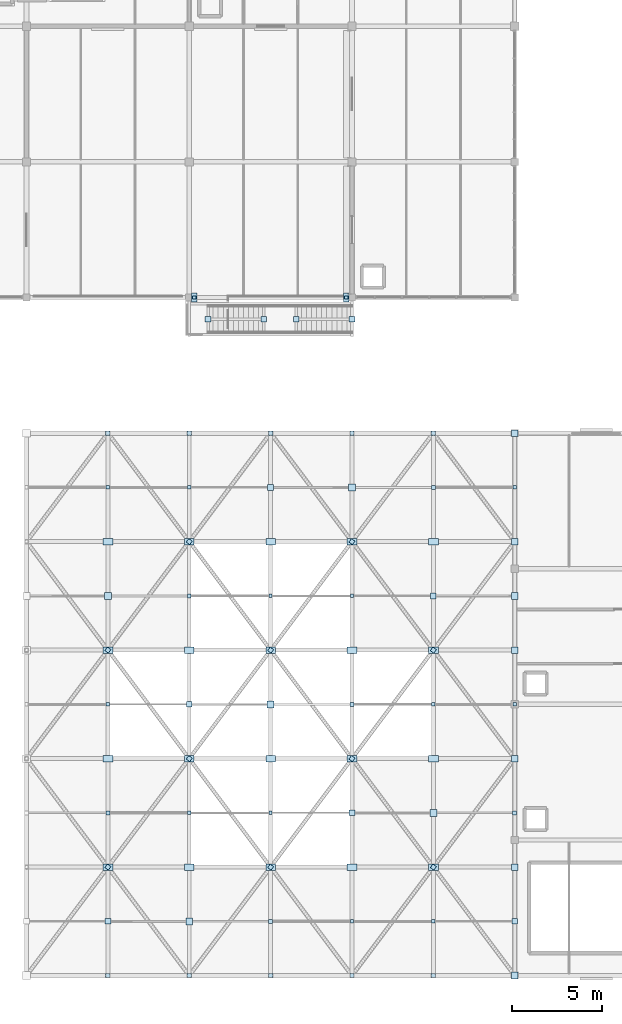
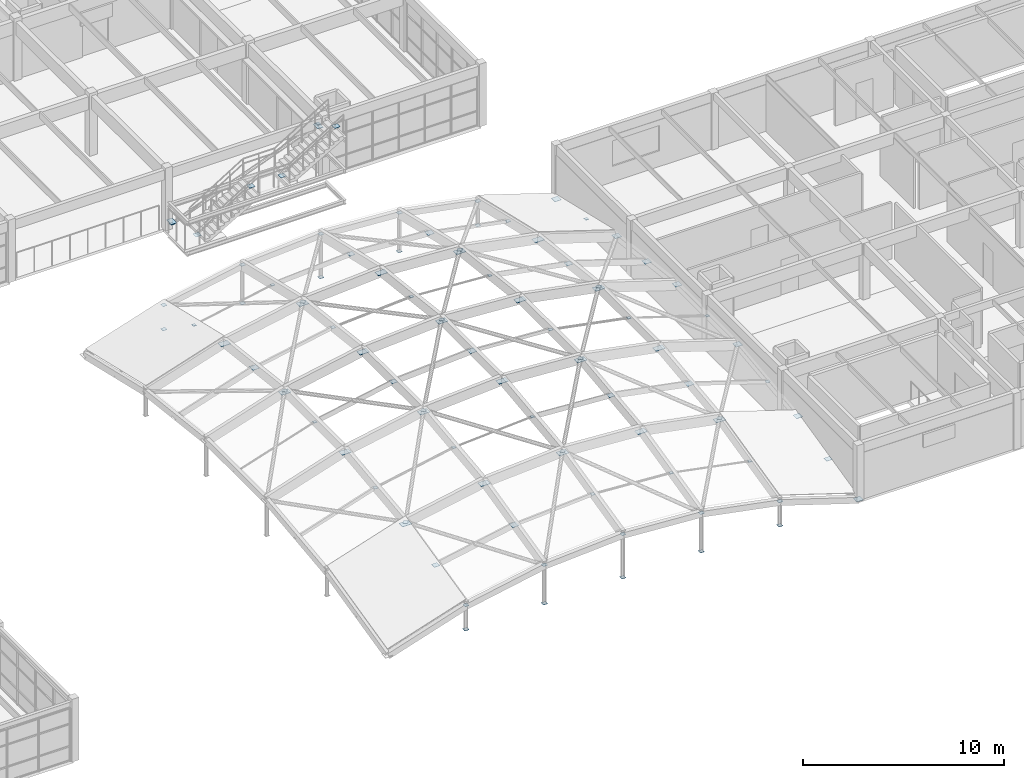
# One storey, part 64 of 81: 94 plates.
"""IFC4 building model written with IfcOpenShell, lengths in metres."""

from ifc_helpers import new_model, si_unit, direction, frame, origin, origin_2d, place, context, subcontext, project, spatial, rectangle, extrude, material, layer, layer_set, type_object, element, save


model = new_model("IFC4")

# Units and contexts
model_context = context("Model", 3, precision=1e-05, world=origin(), true_north=direction((0.0, 1.0)))
body_context = subcontext(model_context, "Body", "Model", "MODEL_VIEW")
ifc_project = project(units=[si_unit("LENGTHUNIT", "METRE"), si_unit("AREAUNIT", "SQUARE_METRE"), si_unit("VOLUMEUNIT", "CUBIC_METRE"), si_unit("PLANEANGLEUNIT", "RADIAN"), si_unit("MASSUNIT", "GRAM", prefix="KILO")], contexts=[model_context])

# Site, building, storey
site_placement = place(None, origin())
site = spatial("IfcSite", under=ifc_project, at=site_placement, CompositionType="ELEMENT")
building_placement = place(site_placement, origin())
building = spatial("IfcBuilding", under=site, at=building_placement, Name="Marnridge Secondary College", CompositionType="ELEMENT")
storey_placement = place(building_placement, frame((0.0, 0.0, 8.5)))
storey = spatial("IfcBuildingStorey", under=building, at=storey_placement, Name="L02", CompositionType="ELEMENT", Elevation=8.5)

# Plates
ifc_material_1 = material(Name="Structural steel plate Grade 350 (AS/NZS 3678, fy = 350 MPa <=12mm, 340 MPa 12-20mm, 330 MPa 20-50mm)", Category="steel")
ifc_layer_1 = layer(ifc_material_1, 0.011962890625)
ifc_layer_set_1 = layer_set([ifc_layer_1], Name="PT-CAP-EXT")
plate_type_1 = type_object("IfcPlateType", Name="PT-CAP-EXT", PredefinedType="SHEET", material=ifc_layer_set_1)
for number, where, z_axis, x_axis, name in (
    (1, (67.5, 0.0, -0.01416015625), (0.0, 0.0, 1.0), (1.0, 0.0, 0.0), "Tube end cap GSP-0069-EC1"),
    (2, (67.5, 0.0, 1.45654296875), (0.0, 0.0, 1.0), (1.0, 0.0, 0.0), "Tube end cap GSP-0069-EC2"),
    (3, (67.5, 30.0, -0.01416015625), (0.0, 0.0, 1.0), (1.0, 0.0, 0.0), "Tube end cap GSP-0070-EC1"),
    (4, (67.5, 30.0, 1.45654296875), (0.0, 0.0, 1.0), (1.0, 0.0, 0.0), "Tube end cap GSP-0070-EC2"),
    (5, (72.0, 0.0, -0.01416015625), (0.0, 0.0, 1.0), (1.0, 0.0, 0.0), "Tube end cap GSP-0071-EC1"),
    (6, (72.0, 0.0, 2.3232421875), (0.0, 0.0, 1.0), (1.0, 0.0, 0.0), "Tube end cap GSP-0071-EC2"),
    (7, (72.0, 30.0, -0.01416015625), (0.0, 0.0, 1.0), (1.0, 0.0, 0.0), "Tube end cap GSP-0072-EC1"),
    (8, (72.0, 30.0, 2.3232421875), (0.0, 0.0, 1.0), (1.0, 0.0, 0.0), "Tube end cap GSP-0072-EC2"),
    (9, (76.5, 0.0, -0.01416015625), (0.0, 0.0, 1.0), (1.0, 0.0, 0.0), "Tube end cap GSP-0073-EC1"),
    (10, (76.5, 0.0, 2.61181640625), (0.0, 0.0, 1.0), (1.0, 0.0, 0.0), "Tube end cap GSP-0073-EC2"),
    (11, (76.5, 30.0, -0.01416015625), (0.0, 0.0, 1.0), (1.0, 0.0, 0.0), "Tube end cap GSP-0074-EC1"),
    (12, (76.5, 30.0, 2.61181640625), (0.0, 0.0, 1.0), (1.0, 0.0, 0.0), "Tube end cap GSP-0074-EC2"),
    (13, (81.0, 0.0, -0.01416015625), (0.0, 0.0, 1.0), (1.0, 0.0, 0.0), "Tube end cap GSP-0075-EC1"),
    (14, (81.0, 0.0, 2.3232421875), (0.0, 0.0, 1.0), (1.0, 0.0, 0.0), "Tube end cap GSP-0075-EC2"),
    (15, (81.0, 30.0, -0.01416015625), (0.0, 0.0, 1.0), (1.0, 0.0, 0.0), "Tube end cap GSP-0076-EC1"),
    (16, (81.0, 30.0, 2.3232421875), (0.0, 0.0, 1.0), (1.0, 0.0, 0.0), "Tube end cap GSP-0076-EC2"),
    (17, (85.5, 0.0, -0.01416015625), (0.0, 0.0, 1.0), (1.0, 0.0, 0.0), "Tube end cap GSP-0077-EC1"),
    (18, (85.5, 0.0, 1.45654296875), (0.0, 0.0, 1.0), (1.0, 0.0, 0.0), "Tube end cap GSP-0077-EC2"),
    (19, (85.5, 30.0, -0.01416015625), (0.0, 0.0, 1.0), (1.0, 0.0, 0.0), "Tube end cap GSP-0078-EC1"),
    (20, (85.5, 30.0, 1.45654296875), (0.0, 0.0, 1.0), (1.0, 0.0, 0.0), "Tube end cap GSP-0078-EC2"),
):
    element("IfcPlate", number, at=place(storey_placement, frame(where, z_axis=z_axis, x_axis=x_axis)), inside=storey, type_object=plate_type_1, Name=name, PredefinedType="SHEET", context=body_context, shape_type="SweptSolid", body=[
        extrude(rectangle(XDim=0.239013671875, YDim=0.239013671875, at=origin_2d()), origin(), (0.0, 0.0, 1.0), 0.011962890625),
    ])
for number, where, z_axis, x_axis, name in (
    (21, (90.0, 0.001953125, -0.00537109375), (0.0, 0.0, 1.0), (0.0, 1.0, 0.0), "Tube end cap GR-0170-EC1"),
    (22, (90.0, 5.998046875, 1.4013671875), (0.0, 0.0, 1.0), (0.0, 1.0, 0.0), "Tube end cap GR-0170-EC2"),
    (23, (90.0, 11.998046875, 2.10595703125), (0.0, 0.0, 1.0), (0.0, 1.0, 0.0), "Tube end cap GR-0171-EC2"),
    (24, (90.0, 17.998046875, 2.10595703125), (0.0, 0.0, 1.0), (0.0, 1.0, 0.0), "Tube end cap GR-0172-EC2"),
    (25, (90.0, 23.998046875, 1.40234375), (0.0, 0.0, 1.0), (0.0, 1.0, 0.0), "Tube end cap GR-0173-EC2"),
    (26, (90.0, 29.998046875, -0.00537109375), (0.0, 0.0, 1.0), (0.0, 1.0, 0.0), "Tube end cap GR-0174-EC2"),
):
    element("IfcPlate", number, at=place(storey_placement, frame(where, z_axis=z_axis, x_axis=x_axis)), inside=storey, type_object=plate_type_1, Name=name, PredefinedType="SHEET", context=body_context, shape_type="SweptSolid", body=[
        extrude(rectangle(XDim=0.3701171875, YDim=0.3701171875, at=origin_2d()), origin(), (0.0, 0.0, 1.0), 0.011962890625),
    ])
plate_1_placement = place(storey_placement, frame((67.498779296875, 5.99853515625, 2.845703125), z_axis=(0.0, 0.0, 1.0), x_axis=(0.600001429133, 0.799998928149, 0.0)))
element("IfcPlate", 27, at=plate_1_placement, inside=storey, type_object=plate_type_1, Name="Tube end cap GR-0211-EC2", PredefinedType="SHEET", context=body_context, shape_type="SweptSolid", body=[
    extrude(rectangle(XDim=0.239013671875, YDim=0.239013671875, at=origin_2d()), origin(), (0.0, 0.0, 1.0), 0.011962890625),
])
plate_2_placement = place(storey_placement, frame((67.498046875, 3.0, 2.06201171875), z_axis=(0.0, 0.0, 1.0), x_axis=(1.0, 0.0, 0.0)))
element("IfcPlate", 28, at=plate_2_placement, inside=storey, type_object=plate_type_1, Name="Tube end cap PR-0079-EC2", PredefinedType="SHEET", context=body_context, shape_type="SweptSolid", body=[
    extrude(rectangle(XDim=0.320068359375, YDim=0.320068359375, at=origin_2d()), origin(), (0.0, 0.0, 1.0), 0.011962890625),
])
plate_3_placement = place(storey_placement, frame((67.498046875, 9.0, 3.11767578125), z_axis=(0.0, 0.0, 1.0), x_axis=(1.0, 0.0, 0.0)))
element("IfcPlate", 29, at=plate_3_placement, inside=storey, type_object=plate_type_1, Name="Tube end cap PR-0080-EC2", PredefinedType="SHEET", context=body_context, shape_type="SweptSolid", body=[
    extrude(rectangle(XDim=0.219970703125, YDim=0.219970703125, at=origin_2d()), origin(), (0.0, 0.0, 1.0), 0.011962890625),
])
plate_4_placement = place(storey_placement, frame((67.498779296875, 17.998291015625, 3.5498046875), z_axis=(0.0, 0.0, 1.0), x_axis=(0.600001429133, 0.799998928149, 0.0)))
element("IfcPlate", 30, at=plate_4_placement, inside=storey, type_object=plate_type_1, Name="Tube end cap GR-0213-EC2", PredefinedType="SHEET", context=body_context, shape_type="SweptSolid", body=[
    extrude(rectangle(XDim=0.239013671875, YDim=0.239013671875, at=origin_2d()), origin(), (0.0, 0.0, 1.0), 0.011962890625),
])
plate_5_placement = place(storey_placement, frame((67.498046875, 15.0, 3.4697265625), z_axis=(0.0, 0.0, 1.0), x_axis=(1.0, 0.0, 0.0)))
element("IfcPlate", 31, at=plate_5_placement, inside=storey, type_object=plate_type_1, Name="Tube end cap PR-0081-EC2", PredefinedType="SHEET", context=body_context, shape_type="SweptSolid", body=[
    extrude(rectangle(XDim=0.179931640625, YDim=0.179931640625, at=origin_2d()), origin(), (0.0, 0.0, 1.0), 0.011962890625),
])
plate_6_placement = place(storey_placement, frame((67.498046875, 21.0, 3.11767578125), z_axis=(0.0, 0.0, 1.0), x_axis=(1.0, 0.0, 0.0)))
element("IfcPlate", 32, at=plate_6_placement, inside=storey, type_object=plate_type_1, Name="Tube end cap PR-0082-EC2", PredefinedType="SHEET", context=body_context, shape_type="SweptSolid", body=[
    extrude(rectangle(XDim=0.3798828125, YDim=0.3798828125, at=origin_2d()), origin(), (0.0, 0.0, 1.0), 0.011962890625),
])
plate_7_placement = place(storey_placement, frame((67.498046875, 27.0, 2.06201171875), z_axis=(0.0, 0.0, 1.0), x_axis=(1.0, 0.0, 0.0)))
element("IfcPlate", 33, at=plate_7_placement, inside=storey, type_object=plate_type_1, Name="Tube end cap PR-0083-EC2", PredefinedType="SHEET", context=body_context, shape_type="SweptSolid", body=[
    extrude(rectangle(XDim=0.179931640625, YDim=0.179931640625, at=origin_2d()), origin(), (0.0, 0.0, 1.0), 0.011962890625),
])
plate_8_placement = place(storey_placement, frame((71.998046875, 3.0, 2.9287109375), z_axis=(0.0, 0.0, 1.0), x_axis=(1.0, 0.0, 0.0)))
element("IfcPlate", 34, at=plate_8_placement, inside=storey, type_object=plate_type_1, Name="Tube end cap PR-0084-EC2", PredefinedType="SHEET", context=body_context, shape_type="SweptSolid", body=[
    extrude(rectangle(XDim=0.3798828125, YDim=0.3798828125, at=origin_2d()), origin(), (0.0, 0.0, 1.0), 0.011962890625),
])
plate_9_placement = place(storey_placement, frame((71.998779296875, 11.998291015625, 4.41650390625), z_axis=(0.0, 0.0, 1.0), x_axis=(0.600001429133, 0.799998928149, 0.0)))
element("IfcPlate", 35, at=plate_9_placement, inside=storey, type_object=plate_type_1, Name="Tube end cap GR-0217-EC2", PredefinedType="SHEET", context=body_context, shape_type="SweptSolid", body=[
    extrude(rectangle(XDim=0.239013671875, YDim=0.239013671875, at=origin_2d()), origin(), (0.0, 0.0, 1.0), 0.011962890625),
])
plate_10_placement = place(storey_placement, frame((71.998046875, 9.0, 3.98486328125), z_axis=(0.0, 0.0, 1.0), x_axis=(1.0, 0.0, 0.0)))
element("IfcPlate", 36, at=plate_10_placement, inside=storey, type_object=plate_type_1, Name="Tube end cap PR-0085-EC2", PredefinedType="SHEET", context=body_context, shape_type="SweptSolid", body=[
    extrude(rectangle(XDim=0.179931640625, YDim=0.179931640625, at=origin_2d()), origin(), (0.0, 0.0, 1.0), 0.011962890625),
])
plate_11_placement = place(storey_placement, frame((71.998046875, 15.0, 4.3369140625), z_axis=(0.0, 0.0, 1.0), x_axis=(1.0, 0.0, 0.0)))
element("IfcPlate", 37, at=plate_11_placement, inside=storey, type_object=plate_type_1, Name="Tube end cap PR-0086-EC2", PredefinedType="SHEET", context=body_context, shape_type="SweptSolid", body=[
    extrude(rectangle(XDim=0.320068359375, YDim=0.320068359375, at=origin_2d()), origin(), (0.0, 0.0, 1.0), 0.011962890625),
])
plate_12_placement = place(storey_placement, frame((71.998779296875, 23.998291015625, 3.712890625), z_axis=(0.0, 0.0, 1.0), x_axis=(0.600001429133, 0.799998928149, 0.0)))
element("IfcPlate", 38, at=plate_12_placement, inside=storey, type_object=plate_type_1, Name="Tube end cap GR-0219-EC2", PredefinedType="SHEET", context=body_context, shape_type="SweptSolid", body=[
    extrude(rectangle(XDim=0.239013671875, YDim=0.239013671875, at=origin_2d()), origin(), (0.0, 0.0, 1.0), 0.011962890625),
])
plate_13_placement = place(storey_placement, frame((71.998046875, 21.0, 3.98486328125), z_axis=(0.0, 0.0, 1.0), x_axis=(1.0, 0.0, 0.0)))
element("IfcPlate", 39, at=plate_13_placement, inside=storey, type_object=plate_type_1, Name="Tube end cap PR-0087-EC2", PredefinedType="SHEET", context=body_context, shape_type="SweptSolid", body=[
    extrude(rectangle(XDim=0.219970703125, YDim=0.219970703125, at=origin_2d()), origin(), (0.0, 0.0, 1.0), 0.011962890625),
])
plate_14_placement = place(storey_placement, frame((71.998046875, 27.0, 2.9287109375), z_axis=(0.0, 0.0, 1.0), x_axis=(1.0, 0.0, 0.0)))
element("IfcPlate", 40, at=plate_14_placement, inside=storey, type_object=plate_type_1, Name="Tube end cap PR-0088-EC2", PredefinedType="SHEET", context=body_context, shape_type="SweptSolid", body=[
    extrude(rectangle(XDim=0.179931640625, YDim=0.179931640625, at=origin_2d()), origin(), (0.0, 0.0, 1.0), 0.011962890625),
])
plate_15_placement = place(storey_placement, frame((76.498779296875, 5.998291015625, 4.00146484375), z_axis=(0.0, 0.0, 1.0), x_axis=(0.600001429133, 0.799998928149, 0.0)))
element("IfcPlate", 41, at=plate_15_placement, inside=storey, type_object=plate_type_1, Name="Tube end cap GR-0221-EC2", PredefinedType="SHEET", context=body_context, shape_type="SweptSolid", body=[
    extrude(rectangle(XDim=0.239013671875, YDim=0.239013671875, at=origin_2d()), origin(), (0.0, 0.0, 1.0), 0.011962890625),
])
plate_16_placement = place(storey_placement, frame((76.498046875, 3.0, 3.2177734375), z_axis=(0.0, 0.0, 1.0), x_axis=(1.0, 0.0, 0.0)))
element("IfcPlate", 42, at=plate_16_placement, inside=storey, type_object=plate_type_1, Name="Tube end cap PR-0089-EC2", PredefinedType="SHEET", context=body_context, shape_type="SweptSolid", body=[
    extrude(rectangle(XDim=0.219970703125, YDim=0.219970703125, at=origin_2d()), origin(), (0.0, 0.0, 1.0), 0.011962890625),
])
plate_17_placement = place(storey_placement, frame((76.498046875, 9.0, 4.27392578125), z_axis=(0.0, 0.0, 1.0), x_axis=(1.0, 0.0, 0.0)))
element("IfcPlate", 43, at=plate_17_placement, inside=storey, type_object=plate_type_1, Name="Tube end cap PR-0090-EC2", PredefinedType="SHEET", context=body_context, shape_type="SweptSolid", body=[
    extrude(rectangle(XDim=0.179931640625, YDim=0.179931640625, at=origin_2d()), origin(), (0.0, 0.0, 1.0), 0.011962890625),
])
plate_18_placement = place(storey_placement, frame((76.498779296875, 17.998291015625, 4.7060546875), z_axis=(0.0, 0.0, 1.0), x_axis=(0.600001429133, 0.799998928149, 0.0)))
element("IfcPlate", 44, at=plate_18_placement, inside=storey, type_object=plate_type_1, Name="Tube end cap GR-0223-EC2", PredefinedType="SHEET", context=body_context, shape_type="SweptSolid", body=[
    extrude(rectangle(XDim=0.239013671875, YDim=0.239013671875, at=origin_2d()), origin(), (0.0, 0.0, 1.0), 0.011962890625),
])
plate_19_placement = place(storey_placement, frame((76.498046875, 15.0, 4.6259765625), z_axis=(0.0, 0.0, 1.0), x_axis=(1.0, 0.0, 0.0)))
element("IfcPlate", 45, at=plate_19_placement, inside=storey, type_object=plate_type_1, Name="Tube end cap PR-0091-EC2", PredefinedType="SHEET", context=body_context, shape_type="SweptSolid", body=[
    extrude(rectangle(XDim=0.3798828125, YDim=0.3798828125, at=origin_2d()), origin(), (0.0, 0.0, 1.0), 0.011962890625),
])
plate_20_placement = place(storey_placement, frame((76.498046875, 21.0, 4.27392578125), z_axis=(0.0, 0.0, 1.0), x_axis=(1.0, 0.0, 0.0)))
element("IfcPlate", 46, at=plate_20_placement, inside=storey, type_object=plate_type_1, Name="Tube end cap PR-0092-EC2", PredefinedType="SHEET", context=body_context, shape_type="SweptSolid", body=[
    extrude(rectangle(XDim=0.179931640625, YDim=0.179931640625, at=origin_2d()), origin(), (0.0, 0.0, 1.0), 0.011962890625),
])
plate_21_placement = place(storey_placement, frame((76.498046875, 27.0, 3.2177734375), z_axis=(0.0, 0.0, 1.0), x_axis=(1.0, 0.0, 0.0)))
element("IfcPlate", 47, at=plate_21_placement, inside=storey, type_object=plate_type_1, Name="Tube end cap PR-0093-EC2", PredefinedType="SHEET", context=body_context, shape_type="SweptSolid", body=[
    extrude(rectangle(XDim=0.320068359375, YDim=0.320068359375, at=origin_2d()), origin(), (0.0, 0.0, 1.0), 0.011962890625),
])
plate_22_placement = place(storey_placement, frame((80.998046875, 3.0, 2.92919921875), z_axis=(0.0, 0.0, 1.0), x_axis=(1.0, 0.0, 0.0)))
element("IfcPlate", 48, at=plate_22_placement, inside=storey, type_object=plate_type_1, Name="Tube end cap PR-0094-EC2", PredefinedType="SHEET", context=body_context, shape_type="SweptSolid", body=[
    extrude(rectangle(XDim=0.179931640625, YDim=0.179931640625, at=origin_2d()), origin(), (0.0, 0.0, 1.0), 0.011962890625),
])
plate_23_placement = place(storey_placement, frame((80.998779296875, 11.998291015625, 4.4169921875), z_axis=(0.0, 0.0, 1.0), x_axis=(0.600001429133, 0.799998928149, 0.0)))
element("IfcPlate", 49, at=plate_23_placement, inside=storey, type_object=plate_type_1, Name="Tube end cap GR-0227-EC2", PredefinedType="SHEET", context=body_context, shape_type="SweptSolid", body=[
    extrude(rectangle(XDim=0.239013671875, YDim=0.239013671875, at=origin_2d()), origin(), (0.0, 0.0, 1.0), 0.011962890625),
])
plate_24_placement = place(storey_placement, frame((80.998046875, 9.0, 3.9853515625), z_axis=(0.0, 0.0, 1.0), x_axis=(1.0, 0.0, 0.0)))
element("IfcPlate", 50, at=plate_24_placement, inside=storey, type_object=plate_type_1, Name="Tube end cap PR-0095-EC2", PredefinedType="SHEET", context=body_context, shape_type="SweptSolid", body=[
    extrude(rectangle(XDim=0.320068359375, YDim=0.320068359375, at=origin_2d()), origin(), (0.0, 0.0, 1.0), 0.011962890625),
])
plate_25_placement = place(storey_placement, frame((80.998046875, 15.0, 4.33740234375), z_axis=(0.0, 0.0, 1.0), x_axis=(1.0, 0.0, 0.0)))
element("IfcPlate", 51, at=plate_25_placement, inside=storey, type_object=plate_type_1, Name="Tube end cap PR-0096-EC2", PredefinedType="SHEET", context=body_context, shape_type="SweptSolid", body=[
    extrude(rectangle(XDim=0.219970703125, YDim=0.219970703125, at=origin_2d()), origin(), (0.0, 0.0, 1.0), 0.011962890625),
])
plate_26_placement = place(storey_placement, frame((80.998779296875, 23.998291015625, 3.71337890625), z_axis=(0.0, 0.0, 1.0), x_axis=(0.600001429133, 0.799998928149, 0.0)))
element("IfcPlate", 52, at=plate_26_placement, inside=storey, type_object=plate_type_1, Name="Tube end cap GR-0229-EC2", PredefinedType="SHEET", context=body_context, shape_type="SweptSolid", body=[
    extrude(rectangle(XDim=0.239013671875, YDim=0.239013671875, at=origin_2d()), origin(), (0.0, 0.0, 1.0), 0.011962890625),
])
plate_27_placement = place(storey_placement, frame((80.998046875, 21.0, 3.9853515625), z_axis=(0.0, 0.0, 1.0), x_axis=(1.0, 0.0, 0.0)))
element("IfcPlate", 53, at=plate_27_placement, inside=storey, type_object=plate_type_1, Name="Tube end cap PR-0097-EC2", PredefinedType="SHEET", context=body_context, shape_type="SweptSolid", body=[
    extrude(rectangle(XDim=0.179931640625, YDim=0.179931640625, at=origin_2d()), origin(), (0.0, 0.0, 1.0), 0.011962890625),
])
plate_28_placement = place(storey_placement, frame((80.998046875, 27.0, 2.92919921875), z_axis=(0.0, 0.0, 1.0), x_axis=(1.0, 0.0, 0.0)))
element("IfcPlate", 54, at=plate_28_placement, inside=storey, type_object=plate_type_1, Name="Tube end cap PR-0098-EC2", PredefinedType="SHEET", context=body_context, shape_type="SweptSolid", body=[
    extrude(rectangle(XDim=0.3798828125, YDim=0.3798828125, at=origin_2d()), origin(), (0.0, 0.0, 1.0), 0.011962890625),
])
plate_29_placement = place(storey_placement, frame((85.498779296875, 5.998291015625, 2.84619140625), z_axis=(0.0, 0.0, 1.0), x_axis=(0.600001429133, 0.799998928149, 0.0)))
element("IfcPlate", 55, at=plate_29_placement, inside=storey, type_object=plate_type_1, Name="Tube end cap GR-0231-EC2", PredefinedType="SHEET", context=body_context, shape_type="SweptSolid", body=[
    extrude(rectangle(XDim=0.239013671875, YDim=0.239013671875, at=origin_2d()), origin(), (0.0, 0.0, 1.0), 0.011962890625),
])
plate_30_placement = place(storey_placement, frame((85.498046875, 3.0, 2.06298828125), z_axis=(0.0, 0.0, 1.0), x_axis=(1.0, 0.0, 0.0)))
element("IfcPlate", 56, at=plate_30_placement, inside=storey, type_object=plate_type_1, Name="Tube end cap PR-0099-EC2", PredefinedType="SHEET", context=body_context, shape_type="SweptSolid", body=[
    extrude(rectangle(XDim=0.179931640625, YDim=0.179931640625, at=origin_2d()), origin(), (0.0, 0.0, 1.0), 0.011962890625),
])
plate_31_placement = place(storey_placement, frame((85.498046875, 9.0, 3.11865234375), z_axis=(0.0, 0.0, 1.0), x_axis=(1.0, 0.0, 0.0)))
element("IfcPlate", 57, at=plate_31_placement, inside=storey, type_object=plate_type_1, Name="Tube end cap PR-0100-EC2", PredefinedType="SHEET", context=body_context, shape_type="SweptSolid", body=[
    extrude(rectangle(XDim=0.3798828125, YDim=0.3798828125, at=origin_2d()), origin(), (0.0, 0.0, 1.0), 0.011962890625),
])
plate_32_placement = place(storey_placement, frame((85.498779296875, 17.998291015625, 3.55078125), z_axis=(0.0, 0.0, 1.0), x_axis=(0.600001429133, 0.799998928149, 0.0)))
element("IfcPlate", 58, at=plate_32_placement, inside=storey, type_object=plate_type_1, Name="Tube end cap GR-0233-EC2", PredefinedType="SHEET", context=body_context, shape_type="SweptSolid", body=[
    extrude(rectangle(XDim=0.239013671875, YDim=0.239013671875, at=origin_2d()), origin(), (0.0, 0.0, 1.0), 0.011962890625),
])
plate_33_placement = place(storey_placement, frame((85.498046875, 15.0, 3.470703125), z_axis=(0.0, 0.0, 1.0), x_axis=(1.0, 0.0, 0.0)))
element("IfcPlate", 59, at=plate_33_placement, inside=storey, type_object=plate_type_1, Name="Tube end cap PR-0101-EC2", PredefinedType="SHEET", context=body_context, shape_type="SweptSolid", body=[
    extrude(rectangle(XDim=0.179931640625, YDim=0.179931640625, at=origin_2d()), origin(), (0.0, 0.0, 1.0), 0.011962890625),
])
plate_34_placement = place(storey_placement, frame((85.498046875, 21.0, 3.11865234375), z_axis=(0.0, 0.0, 1.0), x_axis=(1.0, 0.0, 0.0)))
element("IfcPlate", 60, at=plate_34_placement, inside=storey, type_object=plate_type_1, Name="Tube end cap PR-0102-EC2", PredefinedType="SHEET", context=body_context, shape_type="SweptSolid", body=[
    extrude(rectangle(XDim=0.320068359375, YDim=0.320068359375, at=origin_2d()), origin(), (0.0, 0.0, 1.0), 0.011962890625),
])
plate_35_placement = place(storey_placement, frame((85.498046875, 27.0, 2.06298828125), z_axis=(0.0, 0.0, 1.0), x_axis=(1.0, 0.0, 0.0)))
element("IfcPlate", 61, at=plate_35_placement, inside=storey, type_object=plate_type_1, Name="Tube end cap PR-0103-EC2", PredefinedType="SHEET", context=body_context, shape_type="SweptSolid", body=[
    extrude(rectangle(XDim=0.219970703125, YDim=0.219970703125, at=origin_2d()), origin(), (0.0, 0.0, 1.0), 0.011962890625),
])
plate_36_placement = place(storey_placement, frame((89.998046875, 3.0, 0.61865234375), z_axis=(0.0, 0.0, 1.0), x_axis=(1.0, 0.0, 0.0)))
element("IfcPlate", 62, at=plate_36_placement, inside=storey, type_object=plate_type_1, Name="Tube end cap PR-0104-EC2", PredefinedType="SHEET", context=body_context, shape_type="SweptSolid", body=[
    extrude(rectangle(XDim=0.320068359375, YDim=0.320068359375, at=origin_2d()), origin(), (0.0, 0.0, 1.0), 0.011962890625),
])
plate_37_placement = place(storey_placement, frame((89.998046875, 9.0, 1.6748046875), z_axis=(0.0, 0.0, 1.0), x_axis=(1.0, 0.0, 0.0)))
element("IfcPlate", 63, at=plate_37_placement, inside=storey, type_object=plate_type_1, Name="Tube end cap PR-0105-EC2", PredefinedType="SHEET", context=body_context, shape_type="SweptSolid", body=[
    extrude(rectangle(XDim=0.219970703125, YDim=0.219970703125, at=origin_2d()), origin(), (0.0, 0.0, 1.0), 0.011962890625),
])
plate_38_placement = place(storey_placement, frame((89.998046875, 15.0, 2.02685546875), z_axis=(0.0, 0.0, 1.0), x_axis=(1.0, 0.0, 0.0)))
element("IfcPlate", 64, at=plate_38_placement, inside=storey, type_object=plate_type_1, Name="Tube end cap PR-0106-EC2", PredefinedType="SHEET", context=body_context, shape_type="SweptSolid", body=[
    extrude(rectangle(XDim=0.179931640625, YDim=0.179931640625, at=origin_2d()), origin(), (0.0, 0.0, 1.0), 0.011962890625),
])
plate_39_placement = place(storey_placement, frame((89.998046875, 21.0, 1.6748046875), z_axis=(0.0, 0.0, 1.0), x_axis=(1.0, 0.0, 0.0)))
element("IfcPlate", 65, at=plate_39_placement, inside=storey, type_object=plate_type_1, Name="Tube end cap PR-0107-EC2", PredefinedType="SHEET", context=body_context, shape_type="SweptSolid", body=[
    extrude(rectangle(XDim=0.3798828125, YDim=0.3798828125, at=origin_2d()), origin(), (0.0, 0.0, 1.0), 0.011962890625),
])
plate_40_placement = place(storey_placement, frame((89.998046875, 27.0, 0.61865234375), z_axis=(0.0, 0.0, 1.0), x_axis=(1.0, 0.0, 0.0)))
element("IfcPlate", 66, at=plate_40_placement, inside=storey, type_object=plate_type_1, Name="Tube end cap PR-0108-EC2", PredefinedType="SHEET", context=body_context, shape_type="SweptSolid", body=[
    extrude(rectangle(XDim=0.179931640625, YDim=0.179931640625, at=origin_2d()), origin(), (0.0, 0.0, 1.0), 0.011962890625),
])
for number, where, z_axis, x_axis, name in (
    (67, (72.281982421875, 37.5, 0.15478515625), (0.0, 0.0, 1.0), (1.0, 0.0, 0.0), "Tube end cap BR-009-EC1"),
    (68, (80.677978515625, 37.5, 3.29345703125), (0.0, 0.0, 1.0), (1.0, 0.0, 0.0), "Tube end cap BR-009-EC2"),
):
    element("IfcPlate", number, at=place(storey_placement, frame(where, z_axis=z_axis, x_axis=x_axis)), inside=storey, type_object=plate_type_1, Name=name, PredefinedType="SHEET", context=body_context, shape_type="SweptSolid", body=[
        extrude(rectangle(XDim=0.18798828125, YDim=0.18798828125, at=origin_2d()), origin(), (0.0, 0.0, 1.0), 0.011962890625),
    ])
for number, where, z_axis, x_axis, name in (
    (69, (73.041748046875, 36.300048828125, -0.044921875), (0.0, 0.0, 1.0), (1.0, 0.0, 0.0), "Tube end cap STR-061-EC1"),
    (70, (76.118408203125, 36.300048828125, 1.8330078125), (0.0, 0.0, 1.0), (1.0, 0.0, 0.0), "Tube end cap STR-061-EC2"),
    (71, (77.921630859375, 36.300048828125, 1.8349609375), (0.0, 0.0, 1.0), (1.0, 0.0, 0.0), "Tube end cap STR-062-EC1"),
    (72, (80.998291015625, 36.300048828125, 3.7529296875), (0.0, 0.0, 1.0), (1.0, 0.0, 0.0), "Tube end cap STR-062-EC2"),
):
    element("IfcPlate", number, at=place(storey_placement, frame(where, z_axis=z_axis, x_axis=x_axis)), inside=storey, type_object=plate_type_1, Name=name, PredefinedType="SHEET", context=body_context, shape_type="SweptSolid", body=[
        extrude(rectangle(XDim=0.320068359375, YDim=0.320068359375, at=origin_2d()), origin(), (0.0, 0.0, 1.0), 0.011962890625),
    ])
ifc_material_2 = material(Name="Structural steel plate Grade 350 (AS/NZS 3678, fy = 350 MPa <=12mm, 340 MPa 12-20mm, 330 MPa 20-50mm)", Category="steel")
ifc_layer_2 = layer(ifc_material_2, 0.02392578125)
ifc_layer_set_2 = layer_set([ifc_layer_2], Name="PT-GUS-GSN2")
plate_type_2 = type_object("IfcPlateType", Name="PT-GUS-GSN2", PredefinedType="USERDEFINED", material=ifc_layer_set_2)
for number, where, z_axis, x_axis, name in (
    (73, (67.5, 6.0, 2.740478515625), (0.0, 0.0, 1.0), (1.0, 0.0, 0.0), "Gridshell node gusset plate GP-031"),
    (74, (67.5, 12.0, 3.4443359375), (0.0, 0.0, 1.0), (1.0, 0.0, 0.0), "Gridshell node gusset plate GP-032"),
    (75, (67.5, 18.0, 3.4443359375), (0.0, 0.0, 1.0), (1.0, 0.0, 0.0), "Gridshell node gusset plate GP-033"),
    (76, (67.5, 24.0, 2.740478515625), (0.0, 0.0, 1.0), (1.0, 0.0, 0.0), "Gridshell node gusset plate GP-034"),
    (77, (72.0, 6.0, 3.607177734375), (0.0, 0.0, 1.0), (1.0, 0.0, 0.0), "Gridshell node gusset plate GP-035"),
    (78, (72.0, 12.0, 4.31103515625), (0.0, 0.0, 1.0), (1.0, 0.0, 0.0), "Gridshell node gusset plate GP-036"),
    (79, (72.0, 18.0, 4.31103515625), (0.0, 0.0, 1.0), (1.0, 0.0, 0.0), "Gridshell node gusset plate GP-037"),
    (80, (72.0, 24.0, 3.607177734375), (0.0, 0.0, 1.0), (1.0, 0.0, 0.0), "Gridshell node gusset plate GP-038"),
    (81, (76.5, 6.0, 3.89599609375), (0.0, 0.0, 1.0), (1.0, 0.0, 0.0), "Gridshell node gusset plate GP-039"),
    (82, (76.5, 12.0, 4.60009765625), (0.0, 0.0, 1.0), (1.0, 0.0, 0.0), "Gridshell node gusset plate GP-040"),
    (83, (76.5, 18.0, 4.60009765625), (0.0, 0.0, 1.0), (1.0, 0.0, 0.0), "Gridshell node gusset plate GP-041"),
    (84, (76.5, 24.0, 3.89599609375), (0.0, 0.0, 1.0), (1.0, 0.0, 0.0), "Gridshell node gusset plate GP-042"),
    (85, (81.0, 6.0, 3.607177734375), (0.0, 0.0, 1.0), (1.0, 0.0, 0.0), "Gridshell node gusset plate GP-043"),
    (86, (81.0, 12.0, 4.31103515625), (0.0, 0.0, 1.0), (1.0, 0.0, 0.0), "Gridshell node gusset plate GP-044"),
    (87, (81.0, 18.0, 4.31103515625), (0.0, 0.0, 1.0), (1.0, 0.0, 0.0), "Gridshell node gusset plate GP-045"),
    (88, (81.0, 24.0, 3.607177734375), (0.0, 0.0, 1.0), (1.0, 0.0, 0.0), "Gridshell node gusset plate GP-046"),
    (89, (85.5, 6.0, 2.740478515625), (0.0, 0.0, 1.0), (1.0, 0.0, 0.0), "Gridshell node gusset plate GP-047"),
    (90, (85.5, 12.0, 3.4443359375), (0.0, 0.0, 1.0), (1.0, 0.0, 0.0), "Gridshell node gusset plate GP-048"),
    (91, (85.5, 18.0, 3.4443359375), (0.0, 0.0, 1.0), (1.0, 0.0, 0.0), "Gridshell node gusset plate GP-049"),
    (92, (85.5, 24.0, 2.740478515625), (0.0, 0.0, 1.0), (1.0, 0.0, 0.0), "Gridshell node gusset plate GP-050"),
):
    element("IfcPlate", number, at=place(storey_placement, frame(where, z_axis=z_axis, x_axis=x_axis)), inside=storey, type_object=plate_type_2, Name=name, ObjectType="GUSSET PLATE", PredefinedType="USERDEFINED", context=body_context, shape_type="SweptSolid", body=[
        extrude(rectangle(XDim=0.5400390625, YDim=0.360107421875, at=origin_2d()), origin(), (0.0, 0.0, 1.0), 0.02392578125),
    ])
for number, where, z_axis, x_axis, name in (
    (93, (72.280029296875, 37.5, 0.2880859375), (0.0, 0.0, 1.0), (0.0, 1.0, 0.0), "Braced-frame gusset plate GP-067"),
    (94, (80.679931640625, 37.5, 3.14794921875), (0.0, 0.0, 1.0), (0.0, 1.0, 0.0), "Braced-frame gusset plate GP-068"),
):
    element("IfcPlate", number, at=place(storey_placement, frame(where, z_axis=z_axis, x_axis=x_axis)), inside=storey, type_object=plate_type_2, Name=name, ObjectType="GUSSET PLATE", PredefinedType="USERDEFINED", context=body_context, shape_type="SweptSolid", body=[
        extrude(rectangle(XDim=0.47998046875, YDim=0.320068359375, at=origin_2d()), origin(), (0.0, 0.0, 1.0), 0.02392578125),
    ])

save(model, "model.ifc")
